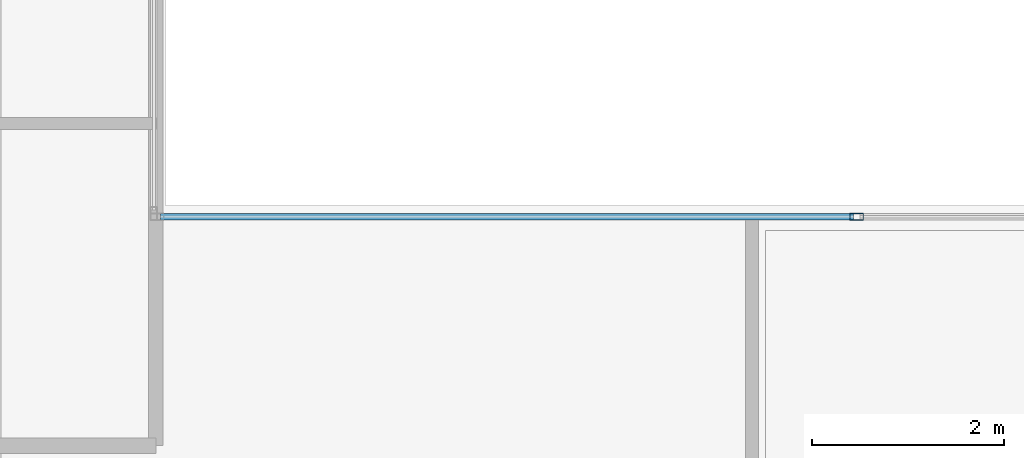
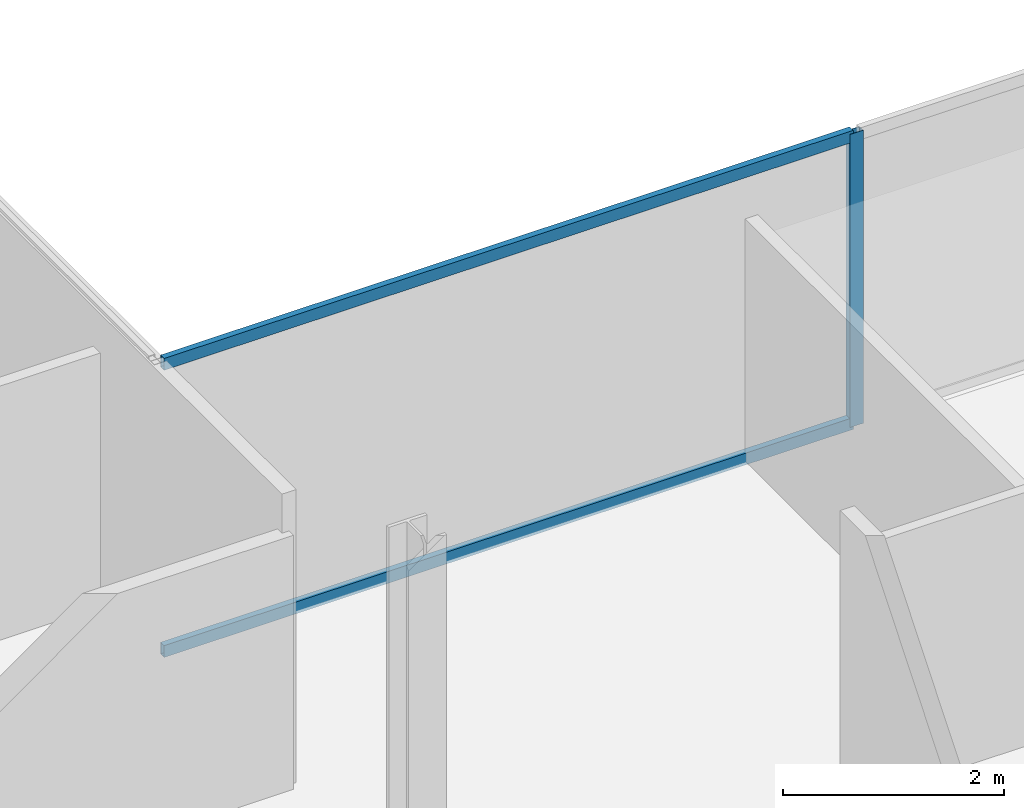
# One storey, part 9 of 23: 3 members, 1 element without a shape of its own.
"""IFC4 building model written with IfcOpenShell, lengths in metres."""

import ifcopenshell
import ifcopenshell.guid

model = None  # the IFC model being written
_history = None  # IfcOwnerHistory: only IFC2X3 demands one
_inside = {}  # id of a spatial element -> (the spatial element, [elements in it])
_under = {}  # id of a project, library or spatial element -> (it, [spatial elements below it])
_declared = {}  # id of a project -> (the project, [libraries it declares])
_typed = {}  # id of a type object -> (the type object, [elements of that type])
_made_of = {}  # id of a material, layer set ... -> (it, [elements and type objects made of it])


def new_model(schema):
    """Start an empty IFC model of exactly this schema.

    Asked for "IFC4X3", IfcOpenShell would pick the latest addendum, in which some entities
    have other attributes; the version numbers below select the first issue.
    IFC2X3 requires an IfcOwnerHistory on every rooted entity: one is made here for all.
    """
    global model, _history
    if schema == "IFC4X3":
        model = ifcopenshell.file(schema_version=(4, 3, 0, 0))
    else:
        model = ifcopenshell.file(schema=schema)
    _inside.clear()
    _under.clear()
    _declared.clear()
    _typed.clear()
    _made_of.clear()
    _history = None
    if model.schema == "IFC2X3":
        org = make("IfcOrganization", Name="unknown")
        user = make(
            "IfcPersonAndOrganization",
            ThePerson=make("IfcPerson", FamilyName="unknown"),
            TheOrganization=org,
        )
        app = make(
            "IfcApplication",
            ApplicationDeveloper=org,
            Version="unknown",
            ApplicationFullName="unknown",
            ApplicationIdentifier="unknown",
        )
        _history = make(
            "IfcOwnerHistory",
            OwningUser=user,
            OwningApplication=app,
            ChangeAction="ADDED",
            CreationDate=0,
        )
    return model


def make(cls, **values):
    """One entity of the class cls with the attributes given. An attribute that is None is left unset."""
    return model.create_entity(
        cls, **{name: value for name, value in values.items() if value is not None}
    )


def rooted(cls, **values):
    """An entity with a GlobalId (a new one), such as an element, a storey or a relation."""
    return make(cls, GlobalId=ifcopenshell.guid.new(), OwnerHistory=_history, **values)


def si_unit(unit_type, name, prefix=None):
    """IfcSIUnit, for example si_unit("LENGTHUNIT", "METRE", prefix="MILLI")."""
    return make("IfcSIUnit", UnitType=unit_type, Prefix=prefix, Name=name)


def assignment(units):
    """IfcUnitAssignment: the units of a project."""
    return None if units is None else make("IfcUnitAssignment", Units=units)


def point(xyz):
    """IfcCartesianPoint."""
    return None if xyz is None else make("IfcCartesianPoint", Coordinates=xyz)


def direction(xyz):
    """IfcDirection."""
    return None if xyz is None else make("IfcDirection", DirectionRatios=xyz)


def frame(location, z_axis=None, x_axis=None):
    """IfcAxis2Placement3D, a coordinate frame: its origin and axes. An axis left out is left unset."""
    return make(
        "IfcAxis2Placement3D",
        Location=point(location),
        Axis=direction(z_axis),
        RefDirection=direction(x_axis),
    )


def frame_2d(location, x_axis=None):
    """IfcAxis2Placement2D, a coordinate frame in the plane: its origin and x axis."""
    return make(
        "IfcAxis2Placement2D", Location=point(location), RefDirection=direction(x_axis)
    )


def origin():
    """The frame at (0, 0, 0) with its axes left unset."""
    return frame((0.0, 0.0, 0.0))


def origin_2d():
    """The frame at (0, 0) in the plane with its x axis left unset."""
    return frame_2d((0.0, 0.0))


def place(relative_to, where):
    """IfcLocalPlacement: puts the frame where relative to a parent placement (None: the world)."""
    return make(
        "IfcLocalPlacement", PlacementRelTo=relative_to, RelativePlacement=where
    )


def context(
    kind, dimensions, precision=None, world=None, true_north=None, identifier=None
):
    """IfcGeometricRepresentationContext, for example the 3D "Model" context."""
    return make(
        "IfcGeometricRepresentationContext",
        ContextIdentifier=identifier,
        ContextType=kind,
        CoordinateSpaceDimension=dimensions,
        Precision=precision,
        WorldCoordinateSystem=world,
        TrueNorth=true_north,
    )


def subcontext(parent, identifier, kind, view, scale=None):
    """IfcGeometricRepresentationSubContext, for example "Body" below "Model"."""
    return make(
        "IfcGeometricRepresentationSubContext",
        ContextIdentifier=identifier,
        ContextType=kind,
        ParentContext=parent,
        TargetScale=scale,
        TargetView=view,
    )


def project(units=None, contexts=None):
    """IfcProject with its units and contexts."""
    return rooted(
        "IfcProject",
        Name="project",
        RepresentationContexts=contexts,
        UnitsInContext=assignment(units),
    )


def spatial(cls, under=None, at=None, **own):
    """A site, building, storey or space (cls), placed at a placement, below another one or the project."""
    s = rooted(cls, ObjectPlacement=at, **own)
    if under is not None:
        _under.setdefault(under.id(), (under, []))[1].append(s)
    return s


def profile(cls, at=None, kind="AREA", **sizes):
    """A parametric profile (cls). Its sizes go by their IFC names, for example OverallWidth=200.0."""
    return make(cls, ProfileType=kind, Position=at, **sizes)


def hollow_rectangle(**sizes):
    """IfcRectangleHollowProfileDef."""
    return profile("IfcRectangleHollowProfileDef", **sizes)


def extrude(swept, where, along, depth):
    """IfcExtrudedAreaSolid: the profile swept, set in the frame where, extruded along a direction by depth."""
    return make(
        "IfcExtrudedAreaSolid",
        SweptArea=swept,
        Position=where,
        ExtrudedDirection=direction(along),
        Depth=depth,
    )


def shape(context_of_items, identifier, shape_type, items):
    """IfcShapeRepresentation: the items that make up one representation, for example the "Body"."""
    return make(
        "IfcShapeRepresentation",
        ContextOfItems=context_of_items,
        RepresentationIdentifier=identifier,
        RepresentationType=shape_type,
        Items=items,
    )


def material(Name=None, Category=None):
    """IfcMaterial."""
    return make("IfcMaterial", Name=Name, Category=Category)


def material_profile(
    of_material, cross_section, Name=None, Category=None, Priority=None
):
    """IfcMaterialProfile: a cross section and its material."""
    return make(
        "IfcMaterialProfile",
        Name=Name,
        Material=of_material,
        Profile=cross_section,
        Priority=Priority,
        Category=Category,
    )


def profile_set(profiles, Name=None, composite=None):
    """IfcMaterialProfileSet."""
    return make(
        "IfcMaterialProfileSet",
        Name=Name,
        MaterialProfiles=profiles,
        CompositeProfile=composite,
    )


def made_of(thing, what):
    """Note that an element or type object is made of a material, layer set ...; save() writes the relation."""
    if what is not None:
        _made_of.setdefault(what.id(), (what, []))[1].append(thing)
    return thing


def type_object(cls, material=None, **own):
    """A type object (cls), such as IfcWallType, which elements share."""
    return made_of(rooted(cls, **own), material)


def element(
    cls,
    number,
    at=None,
    inside=None,
    cuts=None,
    type_object=None,
    material=None,
    context=None,
    identifier="Body",
    shape_type=None,
    held_by="IfcProductDefinitionShape",
    body=None,
    shapes=None,
    **own,
):
    """One element of the class cls, such as IfcWall. Its Tag is "e" and its number.

    at: its placement. inside: the storey or other place that contains it. cuts: it is an
    opening in that element (IfcRelVoidsElement). A single representation is given by context,
    identifier, shape_type and body (its items); several are given by shapes. held_by: the class
    of the entity that holds the representations. save() writes the other relations.
    """
    e = rooted(cls, Tag="e%d" % number, ObjectPlacement=at, **own)
    if body is not None:
        shapes = [shape(context, identifier, shape_type, body)]
    if shapes is not None:
        e.Representation = make(held_by, Representations=shapes)
    if inside is not None:
        _inside.setdefault(inside.id(), (inside, []))[1].append(e)
    if cuts is not None:
        rooted(
            "IfcRelVoidsElement", RelatingBuildingElement=cuts, RelatedOpeningElement=e
        )
    if type_object is not None:
        _typed.setdefault(type_object.id(), (type_object, []))[1].append(e)
    return made_of(e, material)


def aggregate(whole, parts):
    """IfcRelAggregates: a whole, such as a stair, and the parts it consists of."""
    return rooted("IfcRelAggregates", RelatingObject=whole, RelatedObjects=parts)


def save(model, path):
    """Write the relations noted so far, then the file.

    IfcRelAggregates (storeys below a building ...), IfcRelContainedInSpatialStructure (elements
    in a storey), IfcRelDefinesByType, IfcRelAssociatesMaterial and IfcRelDeclares: one each for
    every whole, place, type object, material and project.
    """
    for whole, parts in _under.values():
        aggregate(whole, parts)
    for where, things in _inside.values():
        rooted(
            "IfcRelContainedInSpatialStructure",
            RelatedElements=things,
            RelatingStructure=where,
        )
    for kind, things in _typed.values():
        rooted("IfcRelDefinesByType", RelatedObjects=things, RelatingType=kind)
    for what, things in _made_of.values():
        rooted("IfcRelAssociatesMaterial", RelatedObjects=things, RelatingMaterial=what)
    for by, libraries in _declared.values():
        rooted("IfcRelDeclares", RelatingContext=by, RelatedDefinitions=libraries)
    model.write(path)


model = new_model("IFC4")

# Units and contexts
model_context = context("Model", 3, precision=1e-05, world=origin(), true_north=direction((0.0, 1.0)))
body_context = subcontext(model_context, "Body", "Model", "MODEL_VIEW")
ifc_project = project(units=[si_unit("LENGTHUNIT", "METRE"), si_unit("AREAUNIT", "SQUARE_METRE"), si_unit("VOLUMEUNIT", "CUBIC_METRE"), si_unit("PLANEANGLEUNIT", "RADIAN"), si_unit("MASSUNIT", "GRAM", prefix="KILO")], contexts=[model_context])

# Site, building, storey
site_placement = place(None, origin())
site = spatial("IfcSite", under=ifc_project, at=site_placement, CompositionType="ELEMENT")
building_placement = place(site_placement, origin())
building = spatial("IfcBuilding", under=site, at=building_placement, Name="Cobrela Telecom Tower", CompositionType="ELEMENT")
storey_placement = place(building_placement, frame((0.0, 0.0, 279.64990234375)))
storey = spatial("IfcBuildingStorey", under=building, at=storey_placement, Name="L73", CompositionType="ELEMENT", Elevation=279.64990234375)

# Curtain wall, members
ifc_material = material(Name="Anodized Bronze Aluminium 6063-T6", Category="aluminium")
curtain_wall_type = type_object("IfcCurtainWallType", Name="CW-SYS-OFF-HI", PredefinedType="USERDEFINED", material=ifc_material)
curtain_wall_placement = place(storey_placement, origin())
curtain_wall = element("IfcCurtainWall", 1, at=curtain_wall_placement, inside=storey, type_object=curtain_wall_type, Name="L73 Unitised Bronze Curtain Wall 09", ObjectType="UNITISED CURTAIN WALL", PredefinedType="USERDEFINED")
ifc_material_profile_1 = material_profile(ifc_material, hollow_rectangle(XDim=0.070068359375, YDim=0.139892578125, WallThickness=0.00390625, at=origin_2d()), Name="ALU 70x140x4")
ifc_profile_set_1 = profile_set([ifc_material_profile_1], Name="Anodized Bronze Aluminium 6063-T6")
member_type_1 = type_object("IfcMemberType", Name="CW-SYS-OFF-HI-MUL", PredefinedType="MULLION", material=ifc_profile_set_1)
member_1_placement = place(storey_placement, frame((28.18994140625, 25.080078125, 0.0), z_axis=(0.0, 0.0, 1.0), x_axis=(0.0, 1.0, 0.0)))
member_1 = element("IfcMember", 2, at=member_1_placement, type_object=member_type_1, Name="CW-OFF-HI mullion 2", PredefinedType="MULLION", context=body_context, shape_type="SweptSolid", body=[
    extrude(hollow_rectangle(XDim=0.070068359375, YDim=0.139892578125, WallThickness=0.00390625, at=origin_2d()), origin(), (0.0, 0.0, 1.0), 3.239990234375),
])
ifc_material_profile_2 = material_profile(ifc_material, hollow_rectangle(XDim=0.06494140625, YDim=0.1298828125, WallThickness=0.00390625, at=origin_2d()), Name="ALU 65x130x4")
ifc_profile_set_2 = profile_set([ifc_material_profile_2], Name="Anodized Bronze Aluminium 6063-T6")
member_type_2 = type_object("IfcMemberType", Name="CW-SYS-OFF-HI-TRN", PredefinedType="USERDEFINED", material=ifc_profile_set_2)
member_2_placement = place(storey_placement, frame((20.949951171875, 25.080078125, 0.03271484375), z_axis=(1.0, 0.0, 0.0), x_axis=(0.0, 1.0, 0.0)))
member_2 = element("IfcMember", 3, at=member_2_placement, type_object=member_type_2, Name="CW-OFF-HI transom 1.1", ObjectType="TRANSOM", PredefinedType="USERDEFINED", context=body_context, shape_type="SweptSolid", body=[
    extrude(hollow_rectangle(XDim=0.06494140625, YDim=0.1298828125, WallThickness=0.00390625, at=origin_2d()), origin(), (0.0, 0.0, 1.0), 7.205078125),
])
member_3_placement = place(storey_placement, frame((20.949951171875, 25.080078125, 3.20751953125), z_axis=(1.0, 0.0, 0.0), x_axis=(0.0, 1.0, 0.0)))
member_3 = element("IfcMember", 4, at=member_3_placement, type_object=member_type_2, Name="CW-OFF-HI transom 1.2", ObjectType="TRANSOM", PredefinedType="USERDEFINED", context=body_context, shape_type="SweptSolid", body=[
    extrude(hollow_rectangle(XDim=0.06494140625, YDim=0.1298828125, WallThickness=0.00390625, at=origin_2d()), origin(), (0.0, 0.0, 1.0), 7.205078125),
])
aggregate(curtain_wall, [member_1, member_2, member_3])

save(model, "model.ifc")
